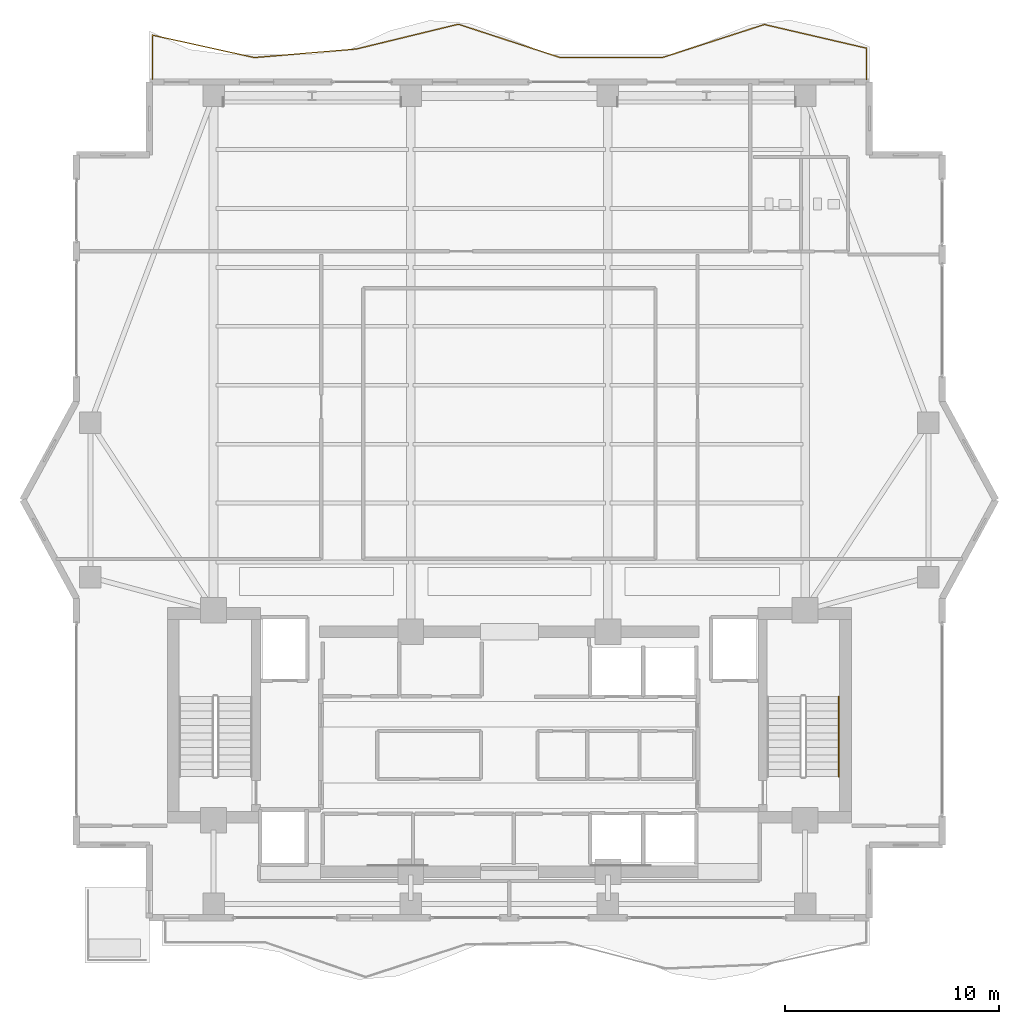
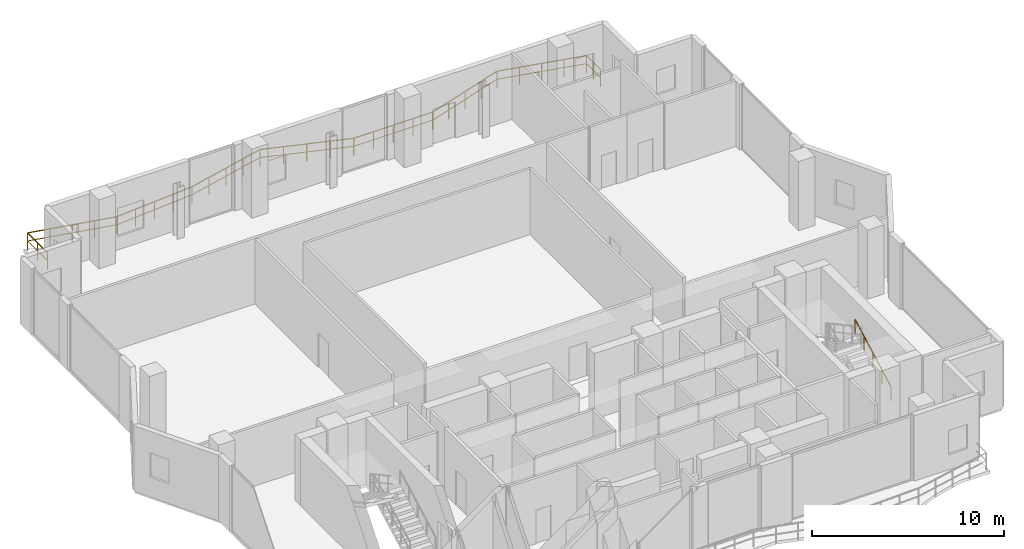
# One storey, part 23 of 24: 2 railings.
"""IFC4 building model written with IfcOpenShell, lengths in metres."""

from ifc_helpers import new_model, si_unit, direction, frame, origin, origin_2d, place, context, subcontext, project, spatial, rectangle, extrude, material, type_object, element, save


model = new_model("IFC4")

# Units and contexts
model_context = context("Model", 3, precision=1e-05, world=origin(), true_north=direction((0.0, 1.0)))
body_context = subcontext(model_context, "Body", "Model", "MODEL_VIEW")
ifc_project = project(units=[si_unit("LENGTHUNIT", "METRE"), si_unit("AREAUNIT", "SQUARE_METRE"), si_unit("VOLUMEUNIT", "CUBIC_METRE"), si_unit("PLANEANGLEUNIT", "RADIAN"), si_unit("MASSUNIT", "GRAM", prefix="KILO")], contexts=[model_context])

# Site, building, storey
site_placement = place(None, origin())
site = spatial("IfcSite", under=ifc_project, at=site_placement, CompositionType="ELEMENT")
building_placement = place(site_placement, origin())
building = spatial("IfcBuilding", under=site, at=building_placement, Name="Zuhayl Quay Hotel", CompositionType="ELEMENT")
storey_placement = place(building_placement, frame((0.0, 0.0, 284.050048828125)))
storey = spatial("IfcBuildingStorey", under=building, at=storey_placement, Name="L72", CompositionType="ELEMENT", Elevation=284.050048828125)

# Railings
ifc_material_1 = material(Name="Anodised Aluminium and Laminated Glass", Category="aluminium")
railing_type_1 = type_object("IfcRailingType", Name="RL_EXT_BAL_1100", PredefinedType="BALUSTRADE", material=ifc_material_1)
railing_1_placement = place(storey_placement, frame((-16.659912109375, 39.1201171875, 0.0)))
element("IfcRailing", 1, at=railing_1_placement, inside=storey, type_object=railing_type_1, Name="L72 Balcony and Terrace Guard GR_L72_BAL_N", PredefinedType="BALUSTRADE", context=body_context, shape_type="SweptSolid", body=[
    extrude(rectangle(XDim=0.048095703125, YDim=0.048095703125, at=origin_2d()), frame((0.0, 0.0, 1.09619140625), z_axis=(0.0, 1.0, 0.0), x_axis=(-1.0, 0.0, 0.0)), (0.0, 0.0, 1.0), 2.06787109375),
    extrude(rectangle(XDim=0.0361328125, YDim=0.0361328125, at=origin_2d()), frame((0.0, 0.0, 0.58251953125), z_axis=(0.0, 1.0, 0.0), x_axis=(-1.0, 0.0, 0.0)), (0.0, 0.0, 1.0), 2.06787109375),
    extrude(rectangle(XDim=0.048095703125, YDim=0.048095703125, at=origin_2d()), frame((0.0, 2.06787109375, 1.09619140625), z_axis=(0.976605980505, -0.215036645346, 0.0), x_axis=(0.215036645346, 0.976605980505, 0.0)), (0.0, 0.0, 1.0), 4.8740234375),
    extrude(rectangle(XDim=0.0361328125, YDim=0.0361328125, at=origin_2d()), frame((0.0, 2.06787109375, 0.58251953125), z_axis=(0.976605980505, -0.215036645346, 0.0), x_axis=(0.215036645346, 0.976605980505, 0.0)), (0.0, 0.0, 1.0), 4.8740234375),
    extrude(rectangle(XDim=0.048095703125, YDim=0.048095703125, at=origin_2d()), frame((4.760009765625, 1.019775390625, 1.09619140625), z_axis=(0.996498009169, 0.083616491922, 0.0), x_axis=(-0.083616491922, 0.996498009169, 0.0)), (0.0, 0.0, 1.0), 4.77685546875),
    extrude(rectangle(XDim=0.0361328125, YDim=0.0361328125, at=origin_2d()), frame((4.760009765625, 1.019775390625, 0.58251953125), z_axis=(0.996498009169, 0.083616491922, 0.0), x_axis=(-0.083616491922, 0.996498009169, 0.0)), (0.0, 0.0, 1.0), 4.77685546875),
    extrude(rectangle(XDim=0.048095703125, YDim=0.048095703125, at=origin_2d()), frame((9.52001953125, 1.419189453125, 1.09619140625), z_axis=(0.97173067629, 0.236092127691, 0.0), x_axis=(-0.236092127691, 0.97173067629, 0.0)), (0.0, 0.0, 1.0), 4.8984375),
    extrude(rectangle(XDim=0.0361328125, YDim=0.0361328125, at=origin_2d()), frame((9.52001953125, 1.419189453125, 0.58251953125), z_axis=(0.97173067629, 0.236092127691, 0.0), x_axis=(-0.236092127691, 0.97173067629, 0.0)), (0.0, 0.0, 1.0), 4.8984375),
    extrude(rectangle(XDim=0.048095703125, YDim=0.048095703125, at=origin_2d()), frame((14.280029296875, 2.57568359375, 1.09619140625), z_axis=(0.950505293735, -0.310708362586, 0.0), x_axis=(0.310708362586, 0.950505293735, 0.0)), (0.0, 0.0, 1.0), 5.007568359375),
    extrude(rectangle(XDim=0.0361328125, YDim=0.0361328125, at=origin_2d()), frame((14.280029296875, 2.57568359375, 0.58251953125), z_axis=(0.950505293735, -0.310708362586, 0.0), x_axis=(0.310708362586, 0.950505293735, 0.0)), (0.0, 0.0, 1.0), 5.007568359375),
    extrude(rectangle(XDim=0.048095703125, YDim=0.048095703125, at=origin_2d()), frame((19.039794921875, 1.019775390625, 1.09619140625), z_axis=(1.0, 0.0, 0.0), x_axis=(0.0, 1.0, 0.0)), (0.0, 0.0, 1.0), 4.760009765625),
    extrude(rectangle(XDim=0.0361328125, YDim=0.0361328125, at=origin_2d()), frame((19.039794921875, 1.019775390625, 0.58251953125), z_axis=(1.0, 0.0, 0.0), x_axis=(0.0, 1.0, 0.0)), (0.0, 0.0, 1.0), 4.760009765625),
    extrude(rectangle(XDim=0.048095703125, YDim=0.048095703125, at=origin_2d()), frame((23.7998046875, 1.019775390625, 1.09619140625), z_axis=(0.951285102858, 0.308312589884, 0.0), x_axis=(-0.308312589884, 0.951285102858, 0.0)), (0.0, 0.0, 1.0), 5.003662109375),
    extrude(rectangle(XDim=0.0361328125, YDim=0.0361328125, at=origin_2d()), frame((23.7998046875, 1.019775390625, 0.58251953125), z_axis=(0.951285102858, 0.308312589884, 0.0), x_axis=(-0.308312589884, 0.951285102858, 0.0)), (0.0, 0.0, 1.0), 5.003662109375),
    extrude(rectangle(XDim=0.048095703125, YDim=0.048095703125, at=origin_2d()), frame((28.559814453125, 2.5625, 1.09619140625), z_axis=(0.974142186072, -0.225935834509, 0.0), x_axis=(0.225935834509, 0.974142186072, 0.0)), (0.0, 0.0, 1.0), 4.886474609375),
    extrude(rectangle(XDim=0.0361328125, YDim=0.0361328125, at=origin_2d()), frame((28.559814453125, 2.5625, 0.58251953125), z_axis=(0.974142186072, -0.225935834509, 0.0), x_axis=(0.225935834509, 0.974142186072, 0.0)), (0.0, 0.0, 1.0), 4.886474609375),
    extrude(rectangle(XDim=0.048095703125, YDim=0.048095703125, at=origin_2d()), frame((33.31982421875, 1.45849609375, 1.09619140625), z_axis=(0.0, -1.0, 0.0), x_axis=(1.0, 0.0, 0.0)), (0.0, 0.0, 1.0), 1.45849609375),
    extrude(rectangle(XDim=0.0361328125, YDim=0.0361328125, at=origin_2d()), frame((33.31982421875, 1.45849609375, 0.58251953125), z_axis=(0.0, -1.0, 0.0), x_axis=(1.0, 0.0, 0.0)), (0.0, 0.0, 1.0), 1.45849609375),
    extrude(rectangle(XDim=0.0419921875, YDim=0.0419921875, at=origin_2d()), origin(), (0.0, 0.0, 1.0), 1.072021484375),
    extrude(rectangle(XDim=0.0419921875, YDim=0.0419921875, at=origin_2d()), frame((0.0, 1.033935546875, 0.0)), (0.0, 0.0, 1.0), 1.072021484375),
    extrude(rectangle(XDim=0.0419921875, YDim=0.0419921875, at=origin_2d()), frame((0.0, 2.06787109375, 0.0)), (0.0, 0.0, 1.0), 1.072021484375),
    extrude(rectangle(XDim=0.0419921875, YDim=0.0419921875, at=origin_2d()), frame((1.18994140625, 1.805908203125, 0.0)), (0.0, 0.0, 1.0), 1.072021484375),
    extrude(rectangle(XDim=0.0419921875, YDim=0.0419921875, at=origin_2d()), frame((2.3798828125, 1.5439453125, 0.0)), (0.0, 0.0, 1.0), 1.072021484375),
    extrude(rectangle(XDim=0.0419921875, YDim=0.0419921875, at=origin_2d()), frame((3.570068359375, 1.28173828125, 0.0)), (0.0, 0.0, 1.0), 1.072021484375),
    extrude(rectangle(XDim=0.0419921875, YDim=0.0419921875, at=origin_2d()), frame((4.760009765625, 1.019775390625, 0.0)), (0.0, 0.0, 1.0), 1.072021484375),
    extrude(rectangle(XDim=0.0419921875, YDim=0.0419921875, at=origin_2d()), frame((5.949951171875, 1.11962890625, 0.0)), (0.0, 0.0, 1.0), 1.072021484375),
    extrude(rectangle(XDim=0.0419921875, YDim=0.0419921875, at=origin_2d()), frame((7.14013671875, 1.219482421875, 0.0)), (0.0, 0.0, 1.0), 1.072021484375),
    extrude(rectangle(XDim=0.0419921875, YDim=0.0419921875, at=origin_2d()), frame((8.330078125, 1.3193359375, 0.0)), (0.0, 0.0, 1.0), 1.072021484375),
    extrude(rectangle(XDim=0.0419921875, YDim=0.0419921875, at=origin_2d()), frame((9.52001953125, 1.419189453125, 0.0)), (0.0, 0.0, 1.0), 1.072021484375),
    extrude(rectangle(XDim=0.0419921875, YDim=0.0419921875, at=origin_2d()), frame((10.7099609375, 1.708251953125, 0.0)), (0.0, 0.0, 1.0), 1.072021484375),
    extrude(rectangle(XDim=0.0419921875, YDim=0.0419921875, at=origin_2d()), frame((11.89990234375, 1.99755859375, 0.0)), (0.0, 0.0, 1.0), 1.072021484375),
    extrude(rectangle(XDim=0.0419921875, YDim=0.0419921875, at=origin_2d()), frame((13.090087890625, 2.28662109375, 0.0)), (0.0, 0.0, 1.0), 1.072021484375),
    extrude(rectangle(XDim=0.0419921875, YDim=0.0419921875, at=origin_2d()), frame((14.280029296875, 2.57568359375, 0.0)), (0.0, 0.0, 1.0), 1.072021484375),
    extrude(rectangle(XDim=0.0419921875, YDim=0.0419921875, at=origin_2d()), frame((15.469970703125, 2.186767578125, 0.0)), (0.0, 0.0, 1.0), 1.072021484375),
    extrude(rectangle(XDim=0.0419921875, YDim=0.0419921875, at=origin_2d()), frame((16.659912109375, 1.7978515625, 0.0)), (0.0, 0.0, 1.0), 1.072021484375),
    extrude(rectangle(XDim=0.0419921875, YDim=0.0419921875, at=origin_2d()), frame((17.849853515625, 1.40869140625, 0.0)), (0.0, 0.0, 1.0), 1.072021484375),
    extrude(rectangle(XDim=0.0419921875, YDim=0.0419921875, at=origin_2d()), frame((19.039794921875, 1.019775390625, 0.0)), (0.0, 0.0, 1.0), 1.072021484375),
    extrude(rectangle(XDim=0.0419921875, YDim=0.0419921875, at=origin_2d()), frame((20.229736328125, 1.019775390625, 0.0)), (0.0, 0.0, 1.0), 1.072021484375),
    extrude(rectangle(XDim=0.0419921875, YDim=0.0419921875, at=origin_2d()), frame((21.419921875, 1.019775390625, 0.0)), (0.0, 0.0, 1.0), 1.072021484375),
    extrude(rectangle(XDim=0.0419921875, YDim=0.0419921875, at=origin_2d()), frame((22.60986328125, 1.019775390625, 0.0)), (0.0, 0.0, 1.0), 1.072021484375),
    extrude(rectangle(XDim=0.0419921875, YDim=0.0419921875, at=origin_2d()), frame((23.7998046875, 1.019775390625, 0.0)), (0.0, 0.0, 1.0), 1.072021484375),
    extrude(rectangle(XDim=0.0419921875, YDim=0.0419921875, at=origin_2d()), frame((24.98974609375, 1.405517578125, 0.0)), (0.0, 0.0, 1.0), 1.072021484375),
    extrude(rectangle(XDim=0.0419921875, YDim=0.0419921875, at=origin_2d()), frame((26.1796875, 1.791015625, 0.0)), (0.0, 0.0, 1.0), 1.072021484375),
    extrude(rectangle(XDim=0.0419921875, YDim=0.0419921875, at=origin_2d()), frame((27.369873046875, 2.1767578125, 0.0)), (0.0, 0.0, 1.0), 1.072021484375),
    extrude(rectangle(XDim=0.0419921875, YDim=0.0419921875, at=origin_2d()), frame((28.559814453125, 2.5625, 0.0)), (0.0, 0.0, 1.0), 1.072021484375),
    extrude(rectangle(XDim=0.0419921875, YDim=0.0419921875, at=origin_2d()), frame((29.749755859375, 2.28662109375, 0.0)), (0.0, 0.0, 1.0), 1.072021484375),
    extrude(rectangle(XDim=0.0419921875, YDim=0.0419921875, at=origin_2d()), frame((30.93994140625, 2.010498046875, 0.0)), (0.0, 0.0, 1.0), 1.072021484375),
    extrude(rectangle(XDim=0.0419921875, YDim=0.0419921875, at=origin_2d()), frame((32.1298828125, 1.734375, 0.0)), (0.0, 0.0, 1.0), 1.072021484375),
    extrude(rectangle(XDim=0.0419921875, YDim=0.0419921875, at=origin_2d()), frame((33.31982421875, 1.45849609375, 0.0)), (0.0, 0.0, 1.0), 1.072021484375),
    extrude(rectangle(XDim=0.0419921875, YDim=0.0419921875, at=origin_2d()), frame((33.31982421875, 0.729248046875, 0.0)), (0.0, 0.0, 1.0), 1.072021484375),
    extrude(rectangle(XDim=0.0419921875, YDim=0.0419921875, at=origin_2d()), frame((33.31982421875, 0.0, 0.0)), (0.0, 0.0, 1.0), 1.072021484375),
])
ifc_material_2 = material(Name="Steel ASTM A992 Grade 50", Category="steel")
railing_type_2 = type_object("IfcRailingType", Name="RL_HANDRAIL_920", PredefinedType="HANDRAIL", material=ifc_material_2)
railing_2_placement = place(storey_placement, frame((15.3798828125, 6.590087890625, 0.183349609375)))
element("IfcRailing", 2, at=railing_2_placement, inside=storey, type_object=railing_type_2, Name="L72 ST2 stair handrail 1", PredefinedType="HANDRAIL", context=body_context, shape_type="SweptSolid", body=[
    extrude(rectangle(XDim=0.048095703125, YDim=0.048095703125, at=origin_2d()), frame((0.0, 0.0, 0.8759765625), z_axis=(0.0, 0.880199743355, 0.474603425818), x_axis=(-1.0, 0.0, 0.0)), (0.0, 0.0, 1.0), 4.2490234375),
    extrude(rectangle(XDim=0.0419921875, YDim=0.0419921875, at=origin_2d()), origin(), (0.0, 0.0, 1.0), 0.851806640625),
    extrude(rectangle(XDim=0.0419921875, YDim=0.0419921875, at=origin_2d()), frame((0.0, 0.93505859375, 0.504150390625)), (0.0, 0.0, 1.0), 0.851806640625),
    extrude(rectangle(XDim=0.0419921875, YDim=0.0419921875, at=origin_2d()), frame((0.0, 1.8701171875, 1.00830078125)), (0.0, 0.0, 1.0), 0.851806640625),
    extrude(rectangle(XDim=0.0419921875, YDim=0.0419921875, at=origin_2d()), frame((0.0, 2.804931640625, 1.512451171875)), (0.0, 0.0, 1.0), 0.851806640625),
    extrude(rectangle(XDim=0.0419921875, YDim=0.0419921875, at=origin_2d()), frame((0.0, 3.739990234375, 2.0166015625)), (0.0, 0.0, 1.0), 0.851806640625),
])

save(model, "model.ifc")
